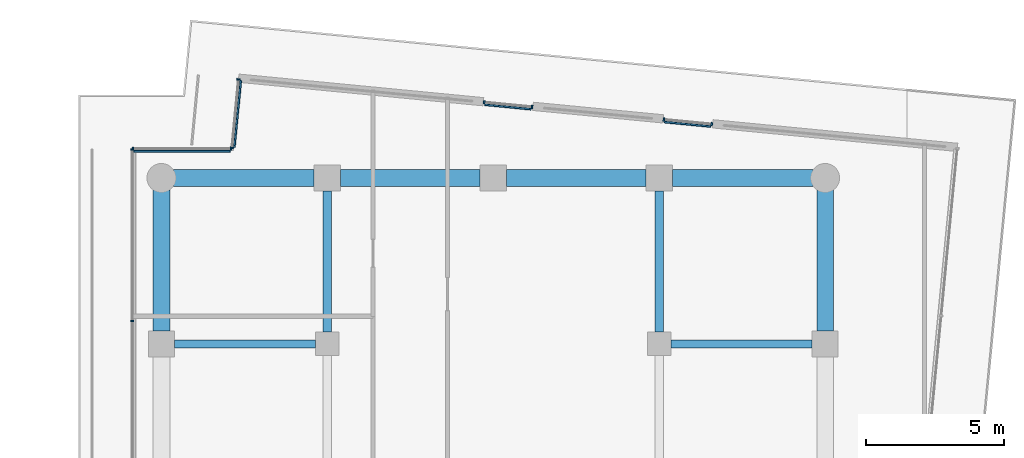
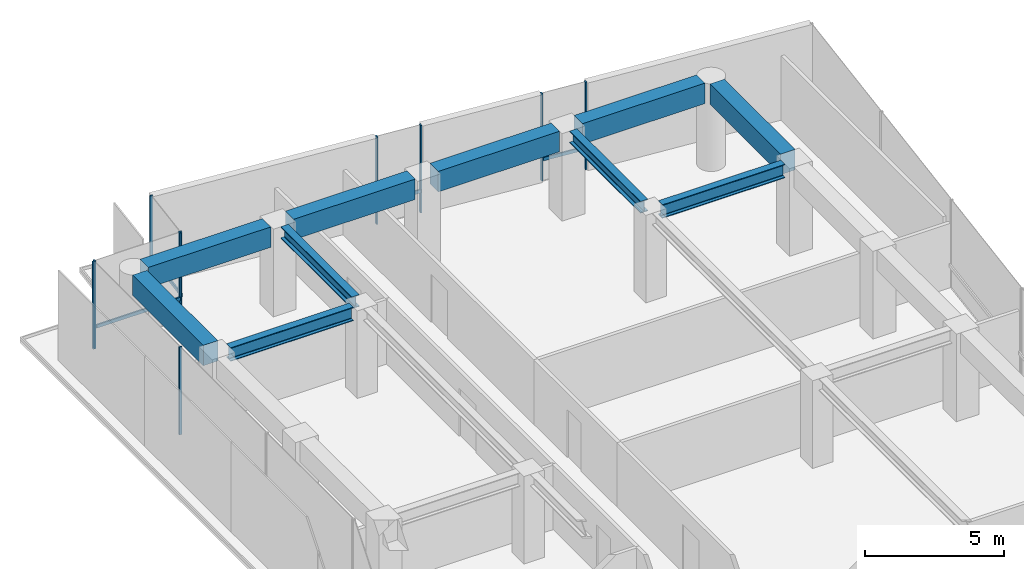
# One storey, part 22 of 31: 14 members, 10 beams, 5 elements without a shape of their own.
"""IFC4 building model written with IfcOpenShell, lengths in metres."""

from ifc_helpers import new_model, si_unit, direction, frame, origin, origin_2d, place, context, subcontext, project, spatial, rectangle, i_section, extrude, material, layer, layer_set, material_profile, profile_set, type_object, element, aggregate, save


model = new_model("IFC4")

# Units and contexts
model_context = context("Model", 3, precision=1e-05, world=origin(), true_north=direction((0.0, 1.0)))
body_context = subcontext(model_context, "Body", "Model", "MODEL_VIEW")
ifc_project = project(units=[si_unit("LENGTHUNIT", "METRE"), si_unit("AREAUNIT", "SQUARE_METRE"), si_unit("VOLUMEUNIT", "CUBIC_METRE"), si_unit("PLANEANGLEUNIT", "RADIAN"), si_unit("MASSUNIT", "GRAM", prefix="KILO")], contexts=[model_context])

# Site, building, storey
site_placement = place(None, origin())
site = spatial("IfcSite", under=ifc_project, at=site_placement, CompositionType="ELEMENT")
building_placement = place(site_placement, origin())
building = spatial("IfcBuilding", under=site, at=building_placement, Name="Welwitschia Terrace Campus", CompositionType="ELEMENT")
storey_placement = place(building_placement, frame((0.0, 0.0, 29.0)))
storey = spatial("IfcBuildingStorey", under=building, at=storey_placement, Name="L06", CompositionType="ELEMENT", Elevation=29.0)

# Beams
ifc_material_1 = material(Name="Steel S355", Category="steel")
ifc_material_profile_1 = material_profile(ifc_material_1, i_section(OverallWidth=0.305908203125, OverallDepth=0.52392578125, WebThickness=0.02099609375, FlangeThickness=0.0400390625, FilletRadius=0.027099609375, at=origin_2d()))
ifc_profile_set_1 = profile_set([ifc_material_profile_1], Name="Steel S355")
beam_type_1 = type_object("IfcBeamType", Name="Interior girder HE 500 M", PredefinedType="BEAM", material=ifc_profile_set_1)
for number, where, z_axis, x_axis, name in (
    (1, (6.0, 56.425537109375, 3.587890625), (0.0, 1.0, 0.0), (-1.0, 0.0, 0.0), "Girder GB2"),
    (2, (18.0, 56.425537109375, 3.587890625), (0.0, 1.0, 0.0), (-1.0, 0.0, 0.0), "Girder GB2"),
):
    element("IfcBeam", number, at=place(storey_placement, frame(where, z_axis=z_axis, x_axis=x_axis)), inside=storey, type_object=beam_type_1, Name=name, PredefinedType="BEAM", context=body_context, shape_type="SweptSolid", body=[
        extrude(i_section(OverallWidth=0.305908203125, OverallDepth=0.52392578125, WebThickness=0.02099609375, FlangeThickness=0.0400390625, FilletRadius=0.027099609375, at=origin_2d()), origin(), (0.0, 0.0, 1.0), 5.10888671875),
    ])

# Curtain wall, members
ifc_material_2 = material(Name="Bronze anodised aluminium", Category="aluminium")
ifc_layer = layer(ifc_material_2, 0.1201171875)
ifc_layer_set = layer_set([ifc_layer], Name="Bronze anodised aluminium")
curtain_wall_type = type_object("IfcCurtainWallType", Name="Curtain wall CW2 tower 6000", PredefinedType="NOTDEFINED", material=ifc_layer_set)
curtain_wall_1_placement = place(storey_placement, origin())
curtain_wall_1 = element("IfcCurtainWall", 3, at=curtain_wall_1_placement, inside=storey, type_object=curtain_wall_type, Name="CW L06.13.S0", PredefinedType="NOTDEFINED")
ifc_material_3 = material(Name="Bronze anodised aluminium", Category="aluminium")
ifc_material_profile_2 = material_profile(ifc_material_3, rectangle(XDim=0.1201171875, YDim=0.06005859375, at=origin_2d()))
ifc_profile_set_2 = profile_set([ifc_material_profile_2], Name="Bronze anodised aluminium")
member_type_1 = type_object("IfcMemberType", Name="Mullion 60x120", PredefinedType="MULLION", material=ifc_profile_set_2)
member_1_placement = place(storey_placement, frame((19.90185546875, 63.946533203125, 0.0), z_axis=(0.0, 0.0, 1.0), x_axis=(-0.09584575252, -0.995396198367, 0.0)))
member_1 = element("IfcMember", 4, at=member_1_placement, type_object=member_type_1, Name="Mullion L06.13.S0.0", PredefinedType="MULLION", context=body_context, shape_type="SweptSolid", body=[
    extrude(rectangle(XDim=0.1201171875, YDim=0.06005859375, at=origin_2d()), origin(), (0.0, 0.0, 1.0), 3.85009765625),
])
member_2_placement = place(storey_placement, frame((18.169921875, 64.113525390625, 0.0), z_axis=(0.0, 0.0, 1.0), x_axis=(-0.09584575252, -0.995396198367, 0.0)))
member_2 = element("IfcMember", 5, at=member_2_placement, type_object=member_type_1, Name="Mullion L06.13.S0.1", PredefinedType="MULLION", context=body_context, shape_type="SweptSolid", body=[
    extrude(rectangle(XDim=0.1201171875, YDim=0.06005859375, at=origin_2d()), origin(), (0.0, 0.0, 1.0), 3.85009765625),
])

curtain_wall_2_placement = place(storey_placement, origin())
curtain_wall_2 = element("IfcCurtainWall", 6, at=curtain_wall_2_placement, inside=storey, type_object=curtain_wall_type, Name="CW L06.13.S1", PredefinedType="NOTDEFINED")
member_3_placement = place(storey_placement, frame((13.403076171875, 64.572509765625, 0.0), z_axis=(0.0, 0.0, 1.0), x_axis=(-0.09584575252, -0.995396198367, 0.0)))
member_3 = element("IfcMember", 7, at=member_3_placement, type_object=member_type_1, Name="Mullion L06.13.S1.0", PredefinedType="MULLION", context=body_context, shape_type="SweptSolid", body=[
    extrude(rectangle(XDim=0.1201171875, YDim=0.06005859375, at=origin_2d()), origin(), (0.0, 0.0, 1.0), 3.85009765625),
])
member_4_placement = place(storey_placement, frame((11.671142578125, 64.7392578125, 0.0), z_axis=(0.0, 0.0, 1.0), x_axis=(-0.09584575252, -0.995396198367, 0.0)))
member_4 = element("IfcMember", 8, at=member_4_placement, type_object=member_type_1, Name="Mullion L06.13.S1.1", PredefinedType="MULLION", context=body_context, shape_type="SweptSolid", body=[
    extrude(rectangle(XDim=0.1201171875, YDim=0.06005859375, at=origin_2d()), origin(), (0.0, 0.0, 1.0), 3.85009765625),
])

curtain_wall_3_placement = place(storey_placement, origin())
curtain_wall_3 = element("IfcCurtainWall", 9, at=curtain_wall_3_placement, inside=storey, type_object=curtain_wall_type, Name="CW L06.14.0", PredefinedType="NOTDEFINED")
member_5_placement = place(storey_placement, frame((2.78564453125, 65.564697265625, 0.0), z_axis=(0.0, 0.0, 1.0), x_axis=(0.995396198367, -0.09584575252, 0.0)))
member_5 = element("IfcMember", 10, at=member_5_placement, type_object=member_type_1, Name="Mullion L06.14.0.0", PredefinedType="MULLION", context=body_context, shape_type="SweptSolid", body=[
    extrude(rectangle(XDim=0.1201171875, YDim=0.06005859375, at=origin_2d()), origin(), (0.0, 0.0, 1.0), 3.85009765625),
])
member_6_placement = place(storey_placement, frame((2.54736328125, 63.087890625, 0.0), z_axis=(0.0, 0.0, 1.0), x_axis=(0.995396198367, -0.09584575252, 0.0)))
member_6 = element("IfcMember", 11, at=member_6_placement, type_object=member_type_1, Name="Mullion L06.14.0.1", PredefinedType="MULLION", context=body_context, shape_type="SweptSolid", body=[
    extrude(rectangle(XDim=0.1201171875, YDim=0.06005859375, at=origin_2d()), origin(), (0.0, 0.0, 1.0), 3.85009765625),
])

curtain_wall_4_placement = place(storey_placement, origin())
curtain_wall_4 = element("IfcCurtainWall", 12, at=curtain_wall_4_placement, inside=storey, type_object=curtain_wall_type, Name="CW L06.15.0", PredefinedType="NOTDEFINED")
member_7_placement = place(storey_placement, frame((2.514404296875, 63.05810546875, 0.0), z_axis=(0.0, 0.0, 1.0), x_axis=(0.0, -1.0, 0.0)))
member_7 = element("IfcMember", 13, at=member_7_placement, type_object=member_type_1, Name="Mullion L06.15.0.0", PredefinedType="MULLION", context=body_context, shape_type="SweptSolid", body=[
    extrude(rectangle(XDim=0.1201171875, YDim=0.06005859375, at=origin_2d()), origin(), (0.0, 0.0, 1.0), 3.85009765625),
])
member_8_placement = place(storey_placement, frame((-1.028076171875, 63.05810546875, 0.0), z_axis=(0.0, 0.0, 1.0), x_axis=(0.0, -1.0, 0.0)))
member_8 = element("IfcMember", 14, at=member_8_placement, type_object=member_type_1, Name="Mullion L06.15.0.1", PredefinedType="MULLION", context=body_context, shape_type="SweptSolid", body=[
    extrude(rectangle(XDim=0.1201171875, YDim=0.06005859375, at=origin_2d()), origin(), (0.0, 0.0, 1.0), 3.85009765625),
])

curtain_wall_5_placement = place(storey_placement, origin())
curtain_wall_5 = element("IfcCurtainWall", 15, at=curtain_wall_5_placement, inside=storey, type_object=curtain_wall_type, Name="CW L06.16.0", PredefinedType="NOTDEFINED")
member_9_placement = place(storey_placement, frame((-1.05810546875, 63.028076171875, 0.0), z_axis=(0.0, 0.0, 1.0), x_axis=(1.0, 0.0, 0.0)))
member_9 = element("IfcMember", 16, at=member_9_placement, type_object=member_type_1, Name="Mullion L06.16.0.0", PredefinedType="MULLION", context=body_context, shape_type="SweptSolid", body=[
    extrude(rectangle(XDim=0.1201171875, YDim=0.06005859375, at=origin_2d()), origin(), (0.0, 0.0, 1.0), 3.85009765625),
])
member_10_placement = place(storey_placement, frame((-1.05810546875, 56.822509765625, 0.0), z_axis=(0.0, 0.0, 1.0), x_axis=(1.0, 0.0, 0.0)))
member_10 = element("IfcMember", 17, at=member_10_placement, type_object=member_type_1, Name="Mullion L06.16.0.1", PredefinedType="MULLION", context=body_context, shape_type="SweptSolid", body=[
    extrude(rectangle(XDim=0.1201171875, YDim=0.06005859375, at=origin_2d()), origin(), (0.0, 0.0, 1.0), 3.85009765625),
])
aggregate(curtain_wall_5, [member_9, member_10])

# Beams
ifc_material_4 = material(Name="Steel S355", Category="steel")
ifc_material_profile_3 = material_profile(ifc_material_4, i_section(OverallWidth=0.300048828125, OverallDepth=0.60009765625, WebThickness=0.015380859375, FlangeThickness=0.030029296875, FilletRadius=0.027099609375, at=origin_2d()))
ifc_profile_set_3 = profile_set([ifc_material_profile_3], Name="Steel S355")
beam_type_2 = type_object("IfcBeamType", Name="Primary beam HE 600 B", PredefinedType="BEAM", material=ifc_profile_set_3)
for number, where, z_axis, x_axis, name in (
    (18, (23.5244140625, 56.0, 3.550048828125), (-1.0, 0.0, 0.0), (0.0, -1.0, 0.0), "Primary beam PB2"),
    (19, (0.4755859375, 56.0, 3.550048828125), (1.0, 0.0, 0.0), (0.0, 1.0, 0.0), "Primary beam PB2"),
):
    element("IfcBeam", number, at=place(storey_placement, frame(where, z_axis=z_axis, x_axis=x_axis)), inside=storey, type_object=beam_type_2, Name=name, PredefinedType="BEAM", context=body_context, shape_type="SweptSolid", body=[
        extrude(i_section(OverallWidth=0.300048828125, OverallDepth=0.60009765625, WebThickness=0.015380859375, FlangeThickness=0.030029296875, FilletRadius=0.027099609375, at=origin_2d()), origin(), (0.0, 0.0, 1.0), 5.098876953125),
    ])
ifc_material_5 = material(Name="Concrete C60/75", Category="concrete")
ifc_material_profile_4 = material_profile(ifc_material_5, rectangle(XDim=0.60009765625, YDim=0.89990234375, at=origin_2d()))
ifc_profile_set_4 = profile_set([ifc_material_profile_4], Name="Concrete C60/75")
beam_type_3 = type_object("IfcBeamType", Name="Ring spandrel 600x900", PredefinedType="SPANDREL", material=ifc_profile_set_4)
for number, where, z_axis, x_axis, name in (
    (20, (24.0, 56.4755859375, 3.39990234375), (0.0, 1.0, 0.0), (-1.0, 0.0, 0.0), "Spandrel SP2"),
    (21, (23.568603515625, 62.0, 3.39990234375), (-1.0, 0.0, 0.0), (0.0, -1.0, 0.0), "Spandrel SP2"),
):
    element("IfcBeam", number, at=place(storey_placement, frame(where, z_axis=z_axis, x_axis=x_axis)), inside=storey, type_object=beam_type_3, Name=name, PredefinedType="SPANDREL", context=body_context, shape_type="SweptSolid", body=[
        extrude(rectangle(XDim=0.60009765625, YDim=0.89990234375, at=origin_2d()), origin(), (0.0, 0.0, 1.0), 5.093017578125),
    ])
for number, where, z_axis, x_axis, name in (
    (22, (17.5244140625, 62.0, 3.39990234375), (-1.0, 0.0, 0.0), (0.0, -1.0, 0.0), "Spandrel SP2"),
    (23, (11.5244140625, 62.0, 3.39990234375), (-1.0, 0.0, 0.0), (0.0, -1.0, 0.0), "Spandrel SP2"),
):
    element("IfcBeam", number, at=place(storey_placement, frame(where, z_axis=z_axis, x_axis=x_axis)), inside=storey, type_object=beam_type_3, Name=name, PredefinedType="SPANDREL", context=body_context, shape_type="SweptSolid", body=[
        extrude(rectangle(XDim=0.60009765625, YDim=0.89990234375, at=origin_2d()), origin(), (0.0, 0.0, 1.0), 5.048828125),
    ])
for number, where, z_axis, x_axis, name in (
    (24, (5.5244140625, 62.0, 3.39990234375), (-1.0, 0.0, 0.0), (0.0, -1.0, 0.0), "Spandrel SP2"),
    (25, (0.0, 61.568603515625, 3.39990234375), (0.0, -1.0, 0.0), (1.0, 0.0, 0.0), "Spandrel SP2"),
):
    element("IfcBeam", number, at=place(storey_placement, frame(where, z_axis=z_axis, x_axis=x_axis)), inside=storey, type_object=beam_type_3, Name=name, PredefinedType="SPANDREL", context=body_context, shape_type="SweptSolid", body=[
        extrude(rectangle(XDim=0.60009765625, YDim=0.89990234375, at=origin_2d()), origin(), (0.0, 0.0, 1.0), 5.093017578125),
    ])

# Member
ifc_material_6 = material(Name="Bronze anodised aluminium", Category="aluminium")
ifc_material_profile_5 = material_profile(ifc_material_6, rectangle(XDim=0.06005859375, YDim=0.14990234375, at=origin_2d()))
ifc_profile_set_5 = profile_set([ifc_material_profile_5], Name="Bronze anodised aluminium")
member_type_2 = type_object("IfcMemberType", Name="Transom 60x150", PredefinedType="USERDEFINED", material=ifc_profile_set_5)
member_11_placement = place(storey_placement, frame((19.863525390625, 63.85986328125, 1.0), z_axis=(-0.995390373601, 0.095906225778, 0.0), x_axis=(-0.095906225778, -0.995390373601, 0.0)))
member_11 = element("IfcMember", 26, at=member_11_placement, type_object=member_type_2, Name="Transom L06.13.S0", ObjectType="TRANSOM", PredefinedType="USERDEFINED", context=body_context, shape_type="SweptSolid", body=[
    extrude(rectangle(XDim=0.06005859375, YDim=0.14990234375, at=origin_2d()), origin(), (0.0, 0.0, 1.0), 1.68017578125),
])

aggregate(curtain_wall_1, [member_1, member_2, member_11])

member_12_placement = place(storey_placement, frame((13.364501953125, 64.485595703125, 1.0), z_axis=(-0.995389036726, 0.095920099904, 0.0), x_axis=(-0.095920099904, -0.995389036726, 0.0)))
member_12 = element("IfcMember", 27, at=member_12_placement, type_object=member_type_2, Name="Transom L06.13.S1", ObjectType="TRANSOM", PredefinedType="USERDEFINED", context=body_context, shape_type="SweptSolid", body=[
    extrude(rectangle(XDim=0.06005859375, YDim=0.14990234375, at=origin_2d()), origin(), (0.0, 0.0, 1.0), 1.679931640625),
])

aggregate(curtain_wall_2, [member_3, member_4, member_12])

member_13_placement = place(storey_placement, frame((2.87255859375, 65.526123046875, 1.0), z_axis=(-0.095919314469, -0.995389112414, 0.0), x_axis=(0.995389112414, -0.095919314469, 0.0)))
member_13 = element("IfcMember", 28, at=member_13_placement, type_object=member_type_2, Name="Transom L06.14.0", ObjectType="TRANSOM", PredefinedType="USERDEFINED", context=body_context, shape_type="SweptSolid", body=[
    extrude(rectangle(XDim=0.06005859375, YDim=0.14990234375, at=origin_2d()), origin(), (0.0, 0.0, 1.0), 2.42822265625),
])

aggregate(curtain_wall_3, [member_5, member_6, member_13])

member_14_placement = place(storey_placement, frame((2.484375, 62.968017578125, 1.0), z_axis=(-1.0, 0.0, 0.0), x_axis=(0.0, -1.0, 0.0)))
member_14 = element("IfcMember", 29, at=member_14_placement, type_object=member_type_2, Name="Transom L06.15.0", ObjectType="TRANSOM", PredefinedType="USERDEFINED", context=body_context, shape_type="SweptSolid", body=[
    extrude(rectangle(XDim=0.06005859375, YDim=0.14990234375, at=origin_2d()), origin(), (0.0, 0.0, 1.0), 3.482421875),
])

aggregate(curtain_wall_4, [member_7, member_8, member_14])

save(model, "model.ifc")
